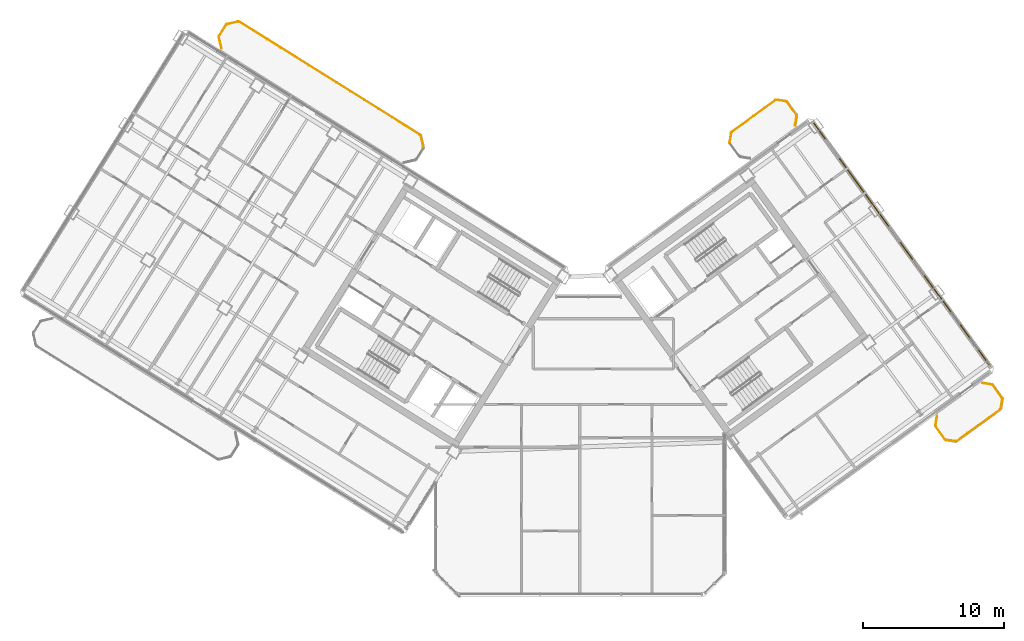
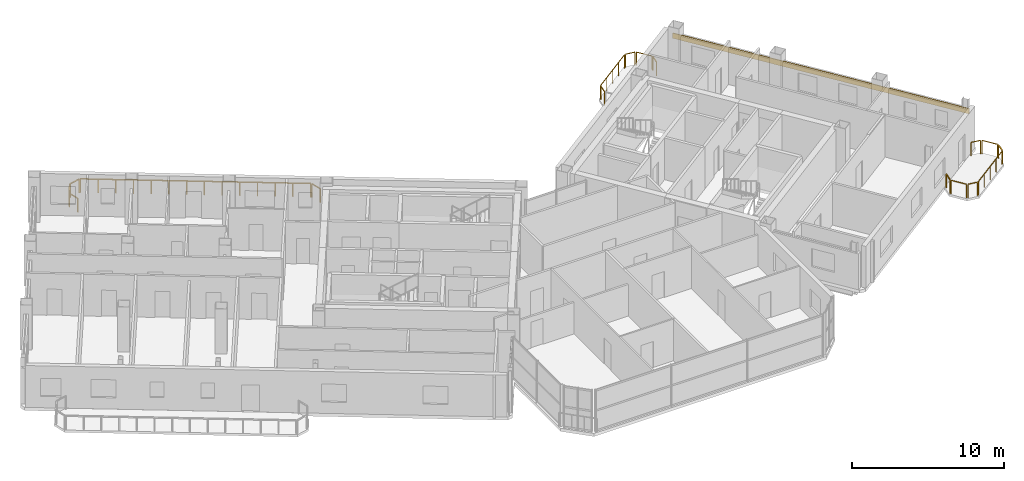
# One storey, part 29 of 29: 17 railings, 1 covering.
"""IFC4 building model written with IfcOpenShell, lengths in metres."""

from ifc_helpers import new_model, si_unit, direction, frame, origin, origin_2d, place, context, subcontext, project, spatial, rectangle, extrude, source, transform, mapped, material, layer, layer_set, type_object, element, save


model = new_model("IFC4")

# Units and contexts
model_context = context("Model", 3, precision=1e-05, world=origin(), true_north=direction((0.0, 1.0)))
body_context = subcontext(model_context, "Body", "Model", "MODEL_VIEW")
ifc_project = project(units=[si_unit("LENGTHUNIT", "METRE"), si_unit("AREAUNIT", "SQUARE_METRE"), si_unit("VOLUMEUNIT", "CUBIC_METRE"), si_unit("PLANEANGLEUNIT", "RADIAN"), si_unit("MASSUNIT", "GRAM", prefix="KILO")], contexts=[model_context])

# Site, building, storey
site_placement = place(None, origin())
site = spatial("IfcSite", under=ifc_project, at=site_placement, CompositionType="ELEMENT")
building_placement = place(site_placement, origin())
building = spatial("IfcBuilding", under=site, at=building_placement, Name="Tlacorven Tower", CompositionType="ELEMENT")
storey_placement = place(building_placement, frame((0.0, 0.0, 238.5)))
storey = spatial("IfcBuildingStorey", under=building, at=storey_placement, Name="L60", CompositionType="ELEMENT", Elevation=238.5)

# Railings
ifc_material_1 = material(Name="Aluminium and painted steel balustrade", Category="steel")
railing_type = type_object("IfcRailingType", Name="RL-BAL-1100", PredefinedType="BALUSTRADE", material=ifc_material_1)
shared_shape_1 = source(origin(), body_context, "Body", "SweptSolid", [
    extrude(rectangle(XDim=0.048095703125, YDim=0.048095703125, at=origin_2d()), frame((0.0, 0.0, 1.076171875), z_axis=(0.225058334816, -0.974345290916, 0.0), x_axis=(0.974345290916, 0.225058334816, 0.0)), (0.0, 0.0, 1.0), 0.80712890625),
    extrude(rectangle(XDim=0.0419921875, YDim=0.0419921875, at=origin_2d()), origin(), (0.0, 0.0, 1.0), 1.052001953125),
    extrude(rectangle(XDim=0.0419921875, YDim=0.0419921875, at=origin_2d()), frame((0.181640625, -0.786376953125, 0.0)), (0.0, 0.0, 1.0), 1.052001953125),
])
railing_1_placement = place(storey_placement, frame((30.6796875, 34.466064453125, 0.0)))
element("IfcRailing", 1, at=railing_1_placement, inside=storey, type_object=railing_type, Name="BAL-L60-W-IN Guard Railing 1", PredefinedType="BALUSTRADE", context=body_context, shape_type="MappedRepresentation", body=[
    mapped(shared_shape_1, transform((0.0, 0.0, 0.0), scale=1.0)),
])
shared_shape_2 = source(origin(), body_context, "Body", "SweptSolid", [
    extrude(rectangle(XDim=0.048095703125, YDim=0.048095703125, at=origin_2d()), frame((0.0, 0.0, 1.076171875), z_axis=(-0.225058334816, 0.974345290916, 0.0), x_axis=(-0.974345290916, -0.225058334816, 0.0)), (0.0, 0.0, 1.0), 0.80712890625),
    extrude(rectangle(XDim=0.0419921875, YDim=0.0419921875, at=origin_2d()), origin(), (0.0, 0.0, 1.0), 1.052001953125),
    extrude(rectangle(XDim=0.0419921875, YDim=0.0419921875, at=origin_2d()), frame((-0.181640625, 0.786376953125, 0.0)), (0.0, 0.0, 1.0), 1.052001953125),
])
railing_2_placement = place(storey_placement, frame((16.5361328125, 40.68115234375, 0.0)))
element("IfcRailing", 2, at=railing_2_placement, inside=storey, type_object=railing_type, Name="BAL-L60-W-IN Guard Railing 4", PredefinedType="BALUSTRADE", context=body_context, shape_type="MappedRepresentation", body=[
    mapped(shared_shape_2, transform((0.0, 0.0, 0.0), scale=1.0)),
])
shared_shape_3 = source(origin(), body_context, "Body", "SweptSolid", [
    extrude(rectangle(XDim=0.048095703125, YDim=0.048095703125, at=origin_2d()), frame((0.0, 0.0, 1.076171875), z_axis=(0.52987865805, 0.848073468364, 0.0), x_axis=(-0.848073468364, 0.52987865805, 0.0)), (0.0, 0.0, 1.0), 0.912353515625),
    extrude(rectangle(XDim=0.0419921875, YDim=0.0419921875, at=origin_2d()), origin(), (0.0, 0.0, 1.0), 1.052001953125),
    extrude(rectangle(XDim=0.0419921875, YDim=0.0419921875, at=origin_2d()), frame((0.4833984375, 0.773681640625, 0.0)), (0.0, 0.0, 1.0), 1.052001953125),
])
railing_3_placement = place(storey_placement, frame((16.369873046875, 41.55859375, 0.0)))
element("IfcRailing", 3, at=railing_3_placement, inside=storey, type_object=railing_type, Name="BAL-L60-W-IN Guard Railing 5", PredefinedType="BALUSTRADE", context=body_context, shape_type="MappedRepresentation", body=[
    mapped(shared_shape_3, transform((0.0, 0.0, 0.0), scale=1.0)),
])
shared_shape_4 = source(origin(), body_context, "Body", "SweptSolid", [
    extrude(rectangle(XDim=0.048095703125, YDim=0.048095703125, at=origin_2d()), frame((0.0, 0.0, 1.076171875), z_axis=(0.974411586182, 0.224771129628, 0.0), x_axis=(-0.224771129628, 0.974411586182, 0.0)), (0.0, 0.0, 1.0), 0.80712890625),
    extrude(rectangle(XDim=0.0419921875, YDim=0.0419921875, at=origin_2d()), origin(), (0.0, 0.0, 1.0), 1.052001953125),
    extrude(rectangle(XDim=0.0419921875, YDim=0.0419921875, at=origin_2d()), frame((0.786376953125, 0.181396484375, 0.0)), (0.0, 0.0, 1.0), 1.052001953125),
])
railing_4_placement = place(storey_placement, frame((16.928466796875, 42.385986328125, 0.0)))
element("IfcRailing", 4, at=railing_4_placement, inside=storey, type_object=railing_type, Name="BAL-L60-W-IN Guard Railing 6", PredefinedType="BALUSTRADE", context=body_context, shape_type="MappedRepresentation", body=[
    mapped(shared_shape_4, transform((0.0, 0.0, 0.0), scale=1.0)),
])
shared_shape_5 = source(origin(), body_context, "Body", "SweptSolid", [
    extrude(rectangle(XDim=0.048095703125, YDim=0.048095703125, at=origin_2d()), frame((0.0, 0.0, 1.076171875), z_axis=(0.848044572804, -0.529924902733, 0.0), x_axis=(0.529924902733, 0.848044572804, 0.0)), (0.0, 0.0, 1.0), 15.1171875),
    extrude(rectangle(XDim=0.0419921875, YDim=0.0419921875, at=origin_2d()), origin(), (0.0, 0.0, 1.0), 1.052001953125),
    extrude(rectangle(XDim=0.0419921875, YDim=0.0419921875, at=origin_2d()), frame((0.986083984375, -0.6162109375, 0.0)), (0.0, 0.0, 1.0), 1.052001953125),
    extrude(rectangle(XDim=0.0419921875, YDim=0.0419921875, at=origin_2d()), frame((1.972412109375, -1.232421875, 0.0)), (0.0, 0.0, 1.0), 1.052001953125),
    extrude(rectangle(XDim=0.0419921875, YDim=0.0419921875, at=origin_2d()), frame((2.95849609375, -1.8486328125, 0.0)), (0.0, 0.0, 1.0), 1.052001953125),
    extrude(rectangle(XDim=0.0419921875, YDim=0.0419921875, at=origin_2d()), frame((3.944580078125, -2.46484375, 0.0)), (0.0, 0.0, 1.0), 1.052001953125),
    extrude(rectangle(XDim=0.0419921875, YDim=0.0419921875, at=origin_2d()), frame((4.930908203125, -3.0810546875, 0.0)), (0.0, 0.0, 1.0), 1.052001953125),
    extrude(rectangle(XDim=0.0419921875, YDim=0.0419921875, at=origin_2d()), frame((5.9169921875, -3.697265625, 0.0)), (0.0, 0.0, 1.0), 1.052001953125),
    extrude(rectangle(XDim=0.0419921875, YDim=0.0419921875, at=origin_2d()), frame((6.903076171875, -4.313720703125, 0.0)), (0.0, 0.0, 1.0), 1.052001953125),
    extrude(rectangle(XDim=0.0419921875, YDim=0.0419921875, at=origin_2d()), frame((7.88916015625, -4.929931640625, 0.0)), (0.0, 0.0, 1.0), 1.052001953125),
    extrude(rectangle(XDim=0.0419921875, YDim=0.0419921875, at=origin_2d()), frame((8.87548828125, -5.546142578125, 0.0)), (0.0, 0.0, 1.0), 1.052001953125),
    extrude(rectangle(XDim=0.0419921875, YDim=0.0419921875, at=origin_2d()), frame((9.861572265625, -6.162353515625, 0.0)), (0.0, 0.0, 1.0), 1.052001953125),
    extrude(rectangle(XDim=0.0419921875, YDim=0.0419921875, at=origin_2d()), frame((10.84765625, -6.778564453125, 0.0)), (0.0, 0.0, 1.0), 1.052001953125),
    extrude(rectangle(XDim=0.0419921875, YDim=0.0419921875, at=origin_2d()), frame((11.833984375, -7.394775390625, 0.0)), (0.0, 0.0, 1.0), 1.052001953125),
    extrude(rectangle(XDim=0.0419921875, YDim=0.0419921875, at=origin_2d()), frame((12.820068359375, -8.010986328125, 0.0)), (0.0, 0.0, 1.0), 1.052001953125),
])
railing_5_placement = place(storey_placement, frame((17.805908203125, 42.55224609375, 0.0)))
element("IfcRailing", 5, at=railing_5_placement, inside=storey, type_object=railing_type, Name="BAL-L60-W-IN Guard Railing 7", PredefinedType="BALUSTRADE", context=body_context, shape_type="MappedRepresentation", body=[
    mapped(shared_shape_5, transform((0.0, 0.0, 0.0), scale=1.0)),
])
shared_shape_6 = source(origin(), body_context, "Body", "SweptSolid", [
    extrude(rectangle(XDim=0.048095703125, YDim=0.048095703125, at=origin_2d()), frame((0.0, 0.0, 1.076171875), z_axis=(-0.987661653326, 0.156602868908, 0.0), x_axis=(-0.156602868908, -0.987661653326, 0.0)), (0.0, 0.0, 1.0), 0.665771484375),
    extrude(rectangle(XDim=0.0419921875, YDim=0.0419921875, at=origin_2d()), origin(), (0.0, 0.0, 1.0), 1.052001953125),
    extrude(rectangle(XDim=0.0419921875, YDim=0.0419921875, at=origin_2d()), frame((-0.657470703125, 0.104248046875, 0.0)), (0.0, 0.0, 1.0), 1.052001953125),
])
railing_6_placement = place(storey_placement, frame((68.59521484375, 12.7919921875, 0.0)))
element("IfcRailing", 6, at=railing_6_placement, inside=storey, type_object=railing_type, Name="BAL-L60-E-OUT Guard Railing 1", PredefinedType="BALUSTRADE", context=body_context, shape_type="MappedRepresentation", body=[
    mapped(shared_shape_6, transform((0.0, 0.0, 0.0), scale=1.0)),
])
shared_shape_7 = source(origin(), body_context, "Body", "SweptSolid", [
    extrude(rectangle(XDim=0.048095703125, YDim=0.048095703125, at=origin_2d()), frame((0.0, 0.0, 1.076171875), z_axis=(-0.58788449985, 0.808944877501, 0.0), x_axis=(-0.808944877501, -0.58788449985, 0.0)), (0.0, 0.0, 1.0), 1.112060546875),
    extrude(rectangle(XDim=0.0419921875, YDim=0.0419921875, at=origin_2d()), origin(), (0.0, 0.0, 1.0), 1.052001953125),
    extrude(rectangle(XDim=0.0419921875, YDim=0.0419921875, at=origin_2d()), frame((-0.65380859375, 0.899658203125, 0.0)), (0.0, 0.0, 1.0), 1.052001953125),
])
railing_7_placement = place(storey_placement, frame((67.85888671875, 12.944580078125, 0.0)))
element("IfcRailing", 7, at=railing_7_placement, inside=storey, type_object=railing_type, Name="BAL-L60-E-OUT Guard Railing 2", PredefinedType="BALUSTRADE", context=body_context, shape_type="MappedRepresentation", body=[
    mapped(shared_shape_7, transform((0.0, 0.0, 0.0), scale=1.0)),
])
shared_shape_8 = source(origin(), body_context, "Body", "SweptSolid", [
    extrude(rectangle(XDim=0.048095703125, YDim=0.048095703125, at=origin_2d()), frame((0.0, 0.0, 1.076171875), z_axis=(0.156602868908, 0.987661653326, 0.0), x_axis=(-0.987661653326, 0.156602868908, 0.0)), (0.0, 0.0, 1.0), 0.665771484375),
    extrude(rectangle(XDim=0.0419921875, YDim=0.0419921875, at=origin_2d()), origin(), (0.0, 0.0, 1.0), 1.052001953125),
    extrude(rectangle(XDim=0.0419921875, YDim=0.0419921875, at=origin_2d()), frame((0.104248046875, 0.657470703125, 0.0)), (0.0, 0.0, 1.0), 1.052001953125),
])
railing_8_placement = place(storey_placement, frame((67.18359375, 13.93408203125, 0.0)))
element("IfcRailing", 8, at=railing_8_placement, inside=storey, type_object=railing_type, Name="BAL-L60-E-OUT Guard Railing 3", PredefinedType="BALUSTRADE", context=body_context, shape_type="MappedRepresentation", body=[
    mapped(shared_shape_8, transform((0.0, 0.0, 0.0), scale=1.0)),
])
shared_shape_9 = source(origin(), body_context, "Body", "SweptSolid", [
    extrude(rectangle(XDim=0.048095703125, YDim=0.048095703125, at=origin_2d()), frame((0.0, 0.0, 1.076171875), z_axis=(0.987718317463, -0.156245081039, 0.0), x_axis=(0.156245081039, 0.987718317463, 0.0)), (0.0, 0.0, 1.0), 0.66552734375),
    extrude(rectangle(XDim=0.0419921875, YDim=0.0419921875, at=origin_2d()), origin(), (0.0, 0.0, 1.0), 1.052001953125),
    extrude(rectangle(XDim=0.0419921875, YDim=0.0419921875, at=origin_2d()), frame((0.657470703125, -0.10400390625, 0.0)), (0.0, 0.0, 1.0), 1.052001953125),
])
railing_9_placement = place(storey_placement, frame((70.513916015625, 16.935546875, 0.0)))
element("IfcRailing", 9, at=railing_9_placement, inside=storey, type_object=railing_type, Name="BAL-L60-E-OUT Guard Railing 4", PredefinedType="BALUSTRADE", context=body_context, shape_type="MappedRepresentation", body=[
    mapped(shared_shape_9, transform((0.0, 0.0, 0.0), scale=1.0)),
])
shared_shape_10 = source(origin(), body_context, "Body", "SweptSolid", [
    extrude(rectangle(XDim=0.048095703125, YDim=0.048095703125, at=origin_2d()), frame((0.0, 0.0, 1.076171875), z_axis=(0.58788449985, -0.808944877501, 0.0), x_axis=(0.808944877501, 0.58788449985, 0.0)), (0.0, 0.0, 1.0), 1.112060546875),
    extrude(rectangle(XDim=0.0419921875, YDim=0.0419921875, at=origin_2d()), origin(), (0.0, 0.0, 1.0), 1.052001953125),
    extrude(rectangle(XDim=0.0419921875, YDim=0.0419921875, at=origin_2d()), frame((0.65380859375, -0.899658203125, 0.0)), (0.0, 0.0, 1.0), 1.052001953125),
])
for number, where, name in (
    (10, (71.250244140625, 16.783203125, 0.0), "BAL-L60-E-OUT Guard Railing 5"),
    (11, (56.658447265625, 36.866943359375, 0.0), "BAL-L60-E-IN Guard Railing 6"),
):
    element("IfcRailing", number, at=place(storey_placement, frame(where)), inside=storey, type_object=railing_type, Name=name, PredefinedType="BALUSTRADE", context=body_context, shape_type="MappedRepresentation", body=[
        mapped(shared_shape_10, transform((0.0, 0.0, 0.0), scale=1.0)),
    ])
shared_shape_11 = source(origin(), body_context, "Body", "SweptSolid", [
    extrude(rectangle(XDim=0.048095703125, YDim=0.048095703125, at=origin_2d()), frame((0.0, 0.0, 1.076171875), z_axis=(-0.156188498702, -0.987727266442, 0.0), x_axis=(0.987727266442, -0.156188498702, 0.0)), (0.0, 0.0, 1.0), 0.665771484375),
    extrude(rectangle(XDim=0.0419921875, YDim=0.0419921875, at=origin_2d()), origin(), (0.0, 0.0, 1.0), 1.052001953125),
    extrude(rectangle(XDim=0.0419921875, YDim=0.0419921875, at=origin_2d()), frame((-0.10400390625, -0.65771484375, 0.0)), (0.0, 0.0, 1.0), 1.052001953125),
])
railing_10_placement = place(storey_placement, frame((71.925537109375, 15.793701171875, 0.0)))
element("IfcRailing", 12, at=railing_10_placement, inside=storey, type_object=railing_type, Name="BAL-L60-E-OUT Guard Railing 6", PredefinedType="BALUSTRADE", context=body_context, shape_type="MappedRepresentation", body=[
    mapped(shared_shape_11, transform((0.0, 0.0, 0.0), scale=1.0)),
])
shared_shape_12 = source(origin(), body_context, "Body", "SweptSolid", [
    extrude(rectangle(XDim=0.048095703125, YDim=0.048095703125, at=origin_2d()), frame((0.0, 0.0, 1.076171875), z_axis=(-0.809018102573, -0.587783726986, 0.0), x_axis=(0.587783726986, -0.809018102573, 0.0)), (0.0, 0.0, 1.0), 3.817138671875),
    extrude(rectangle(XDim=0.0419921875, YDim=0.0419921875, at=origin_2d()), origin(), (0.0, 0.0, 1.0), 1.052001953125),
    extrude(rectangle(XDim=0.0419921875, YDim=0.0419921875, at=origin_2d()), frame((-0.77197265625, -0.56103515625, 0.0)), (0.0, 0.0, 1.0), 1.052001953125),
    extrude(rectangle(XDim=0.0419921875, YDim=0.0419921875, at=origin_2d()), frame((-1.5439453125, -1.121826171875, 0.0)), (0.0, 0.0, 1.0), 1.052001953125),
    extrude(rectangle(XDim=0.0419921875, YDim=0.0419921875, at=origin_2d()), frame((-2.316162109375, -1.6826171875, 0.0)), (0.0, 0.0, 1.0), 1.052001953125),
    extrude(rectangle(XDim=0.0419921875, YDim=0.0419921875, at=origin_2d()), frame((-3.088134765625, -2.24365234375, 0.0)), (0.0, 0.0, 1.0), 1.052001953125),
])
railing_11_placement = place(storey_placement, frame((71.773193359375, 15.057373046875, 0.0)))
element("IfcRailing", 13, at=railing_11_placement, inside=storey, type_object=railing_type, Name="BAL-L60-E-OUT Guard Railing 7", PredefinedType="BALUSTRADE", context=body_context, shape_type="MappedRepresentation", body=[
    mapped(shared_shape_12, transform((0.0, 0.0, 0.0), scale=1.0)),
])
shared_shape_13 = source(origin(), body_context, "Body", "SweptSolid", [
    extrude(rectangle(XDim=0.048095703125, YDim=0.048095703125, at=origin_2d()), frame((0.0, 0.0, 1.076171875), z_axis=(0.156546163506, 0.987670642822, 0.0), x_axis=(-0.987670642822, 0.156546163506, 0.0)), (0.0, 0.0, 1.0), 0.666015625),
    extrude(rectangle(XDim=0.0419921875, YDim=0.0419921875, at=origin_2d()), origin(), (0.0, 0.0, 1.0), 1.052001953125),
    extrude(rectangle(XDim=0.0419921875, YDim=0.0419921875, at=origin_2d()), frame((0.104248046875, 0.65771484375, 0.0)), (0.0, 0.0, 1.0), 1.052001953125),
])
railing_12_placement = place(storey_placement, frame((52.591796875, 34.017822265625, 0.0)))
element("IfcRailing", 14, at=railing_12_placement, inside=storey, type_object=railing_type, Name="BAL-L60-E-IN Guard Railing 3", PredefinedType="BALUSTRADE", context=body_context, shape_type="MappedRepresentation", body=[
    mapped(shared_shape_13, transform((0.0, 0.0, 0.0), scale=1.0)),
])
shared_shape_14 = source(origin(), body_context, "Body", "SweptSolid", [
    extrude(rectangle(XDim=0.048095703125, YDim=0.048095703125, at=origin_2d()), frame((0.0, 0.0, 1.076171875), z_axis=(0.809040198054, 0.587753313843, 0.0), x_axis=(-0.587753313843, 0.809040198054, 0.0)), (0.0, 0.0, 1.0), 3.8173828125),
    extrude(rectangle(XDim=0.0419921875, YDim=0.0419921875, at=origin_2d()), origin(), (0.0, 0.0, 1.0), 1.052001953125),
    extrude(rectangle(XDim=0.0419921875, YDim=0.0419921875, at=origin_2d()), frame((0.77197265625, 0.56103515625, 0.0)), (0.0, 0.0, 1.0), 1.052001953125),
    extrude(rectangle(XDim=0.0419921875, YDim=0.0419921875, at=origin_2d()), frame((1.544189453125, 1.121826171875, 0.0)), (0.0, 0.0, 1.0), 1.052001953125),
    extrude(rectangle(XDim=0.0419921875, YDim=0.0419921875, at=origin_2d()), frame((2.31640625, 1.6826171875, 0.0)), (0.0, 0.0, 1.0), 1.052001953125),
    extrude(rectangle(XDim=0.0419921875, YDim=0.0419921875, at=origin_2d()), frame((3.08837890625, 2.24365234375, 0.0)), (0.0, 0.0, 1.0), 1.052001953125),
])
railing_13_placement = place(storey_placement, frame((52.744140625, 34.754150390625, 0.0)))
element("IfcRailing", 15, at=railing_13_placement, inside=storey, type_object=railing_type, Name="BAL-L60-E-IN Guard Railing 4", PredefinedType="BALUSTRADE", context=body_context, shape_type="MappedRepresentation", body=[
    mapped(shared_shape_14, transform((0.0, 0.0, 0.0), scale=1.0)),
])
shared_shape_15 = source(origin(), body_context, "Body", "SweptSolid", [
    extrude(rectangle(XDim=0.048095703125, YDim=0.048095703125, at=origin_2d()), frame((0.0, 0.0, 1.076171875), z_axis=(0.987670642822, -0.156546163506, 0.0), x_axis=(0.156546163506, 0.987670642822, 0.0)), (0.0, 0.0, 1.0), 0.666015625),
    extrude(rectangle(XDim=0.0419921875, YDim=0.0419921875, at=origin_2d()), origin(), (0.0, 0.0, 1.0), 1.052001953125),
    extrude(rectangle(XDim=0.0419921875, YDim=0.0419921875, at=origin_2d()), frame((0.65771484375, -0.104248046875, 0.0)), (0.0, 0.0, 1.0), 1.052001953125),
])
railing_14_placement = place(storey_placement, frame((55.922119140625, 37.01953125, 0.0)))
element("IfcRailing", 16, at=railing_14_placement, inside=storey, type_object=railing_type, Name="BAL-L60-E-IN Guard Railing 5", PredefinedType="BALUSTRADE", context=body_context, shape_type="MappedRepresentation", body=[
    mapped(shared_shape_15, transform((0.0, 0.0, 0.0), scale=1.0)),
])
shared_shape_16 = source(origin(), body_context, "Body", "SweptSolid", [
    extrude(rectangle(XDim=0.048095703125, YDim=0.048095703125, at=origin_2d()), frame((0.0, 0.0, 1.076171875), z_axis=(-0.156245081039, -0.987718317463, 0.0), x_axis=(0.987718317463, -0.156245081039, 0.0)), (0.0, 0.0, 1.0), 0.66552734375),
    extrude(rectangle(XDim=0.0419921875, YDim=0.0419921875, at=origin_2d()), origin(), (0.0, 0.0, 1.0), 1.052001953125),
    extrude(rectangle(XDim=0.0419921875, YDim=0.0419921875, at=origin_2d()), frame((-0.10400390625, -0.657470703125, 0.0)), (0.0, 0.0, 1.0), 1.052001953125),
])
railing_15_placement = place(storey_placement, frame((57.333740234375, 35.87744140625, 0.0)))
element("IfcRailing", 17, at=railing_15_placement, inside=storey, type_object=railing_type, Name="BAL-L60-E-IN Guard Railing 7", PredefinedType="BALUSTRADE", context=body_context, shape_type="MappedRepresentation", body=[
    mapped(shared_shape_16, transform((0.0, 0.0, 0.0), scale=1.0)),
])

# Covering
ifc_material_2 = material(Name="Precast concrete C45/55", Category="concrete")
ifc_layer = layer(ifc_material_2, 0.06005859375)
ifc_layer_set = layer_set([ifc_layer], Name="Precast concrete C45/55")
covering_type = type_object("IfcCoveringType", Name="CV-CLD-TERC", PredefinedType="CLADDING", material=ifc_layer_set)
shared_shape_17 = source(origin(), body_context, "Body", "SweptSolid", [
    extrude(rectangle(XDim=21.287353515625, YDim=0.06005859375, at=origin_2d()), origin(), (0.0, 0.0, 1.0), 0.419921875),
])
covering_placement = place(storey_placement, frame((64.799072265625, 26.75146484375, 2.455078125), z_axis=(0.0, 0.0, 1.0), x_axis=(0.587785363163, -0.809016913823, 0.0)))
element("IfcCovering", 18, at=covering_placement, inside=storey, type_object=covering_type, Name="L60 Masonry-Frame Spandrel Cladding 5", PredefinedType="CLADDING", context=body_context, shape_type="MappedRepresentation", body=[
    mapped(shared_shape_17, transform((0.0, 0.0, 0.0), scale=1.0)),
])

save(model, "model.ifc")
